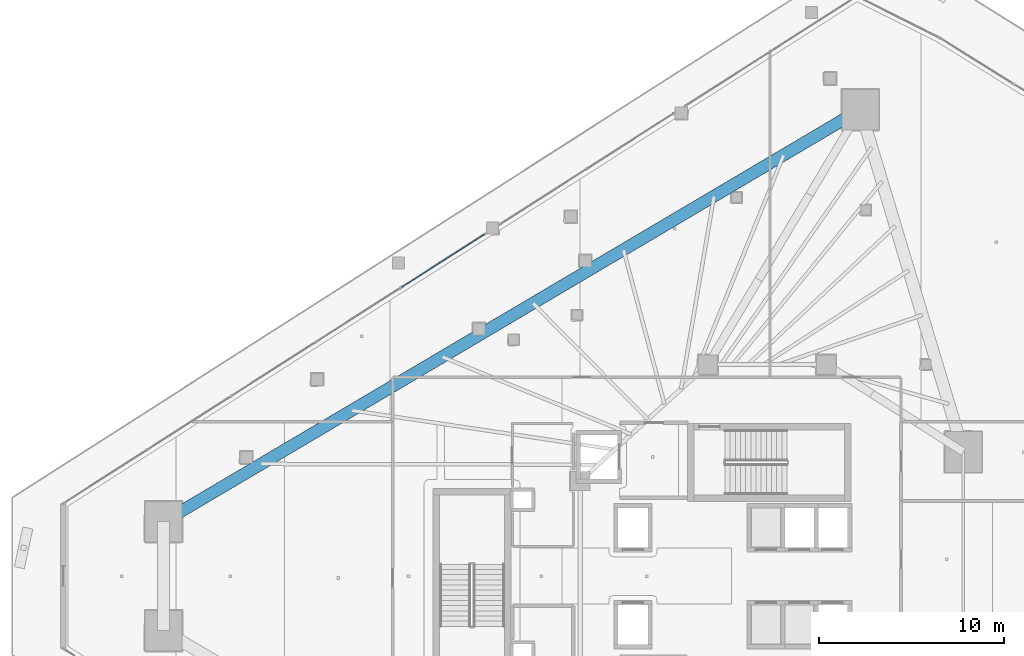
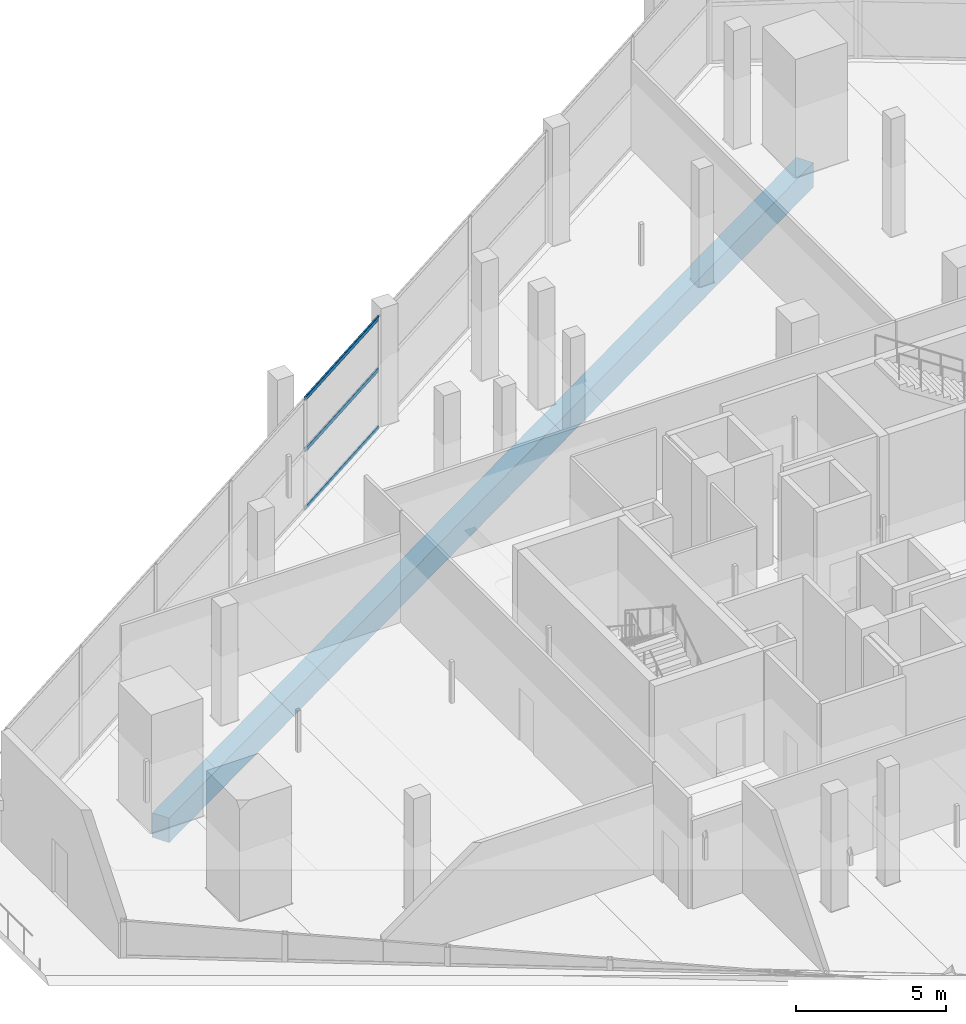
# One storey, part 15 of 42: 3 members, 1 beam, 1 element without a shape of its own.
"""IFC4 building model written with IfcOpenShell, lengths in metres."""

from ifc_helpers import new_model, si_unit, direction, frame, origin, origin_2d, place, context, subcontext, project, spatial, rectangle, hollow_rectangle, extrude, material, layer, layer_set, material_profile, profile_set, type_object, element, aggregate, save


model = new_model("IFC4")

# Units and contexts
model_context = context("Model", 3, precision=1e-05, world=origin(), true_north=direction((0.0, 1.0)))
body_context = subcontext(model_context, "Body", "Model", "MODEL_VIEW")
ifc_project = project(units=[si_unit("LENGTHUNIT", "METRE"), si_unit("AREAUNIT", "SQUARE_METRE"), si_unit("VOLUMEUNIT", "CUBIC_METRE"), si_unit("PLANEANGLEUNIT", "RADIAN"), si_unit("MASSUNIT", "GRAM", prefix="KILO")], contexts=[model_context])

# Site, building, storey
site_placement = place(None, origin())
site = spatial("IfcSite", under=ifc_project, at=site_placement, CompositionType="ELEMENT")
building_placement = place(site_placement, origin())
building = spatial("IfcBuilding", under=site, at=building_placement, Name="Qorvath Tower", CompositionType="ELEMENT")
storey_placement = place(building_placement, frame((0.0, 0.0, 105.0)))
storey = spatial("IfcBuildingStorey", under=building, at=storey_placement, Name="L23", CompositionType="ELEMENT", Elevation=105.0)

# Beam
ifc_material_1 = material(Name="Concrete C50/60", Category="concrete")
ifc_material_profile_1 = material_profile(ifc_material_1, rectangle(XDim=0.64990234375, YDim=1.0, at=origin_2d()), Name="RCB 1000x650")
ifc_profile_set_1 = profile_set([ifc_material_profile_1], Name="Concrete C50/60")
beam_type = type_object("IfcBeamType", Name="BM-RCB1", PredefinedType="SPANDREL", material=ifc_profile_set_1)
beam_placement = place(storey_placement, frame((-15.34423828125, 25.24609375, -0.800048828125), z_axis=(-0.860775142889, -0.508985415689, 0.0), x_axis=(0.508985415689, -0.860775142889, 0.0)))
element("IfcBeam", 1, at=beam_placement, inside=storey, type_object=beam_type, Name="Perimeter Loggia Frame Beam MC6-MC1 L23", PredefinedType="SPANDREL", context=body_context, shape_type="SweptSolid", body=[
    extrude(rectangle(XDim=0.64990234375, YDim=1.0, at=origin_2d()), origin(), (0.0, 0.0, 1.0), 43.8037109375),
])

# Curtain wall, members
ifc_material_2 = material(Name="Anodised aluminium and triple low-E glass", Category="aluminium")
ifc_layer = layer(ifc_material_2, 0.179931640625)
ifc_layer_set = layer_set([ifc_layer], Name="CW-SYS-5")
curtain_wall_type = type_object("IfcCurtainWallType", Name="CW-SYS-5", PredefinedType="NOTDEFINED", material=ifc_layer_set)
curtain_wall_placement = place(storey_placement, origin())
curtain_wall = element("IfcCurtainWall", 2, at=curtain_wall_placement, inside=storey, type_object=curtain_wall_type, Name="Curtain Wall CW-5 CW-T-L23-16.3", PredefinedType="NOTDEFINED")
ifc_material_3 = material(Name="Anodised aluminium 6063-T6", Category="aluminium")
ifc_material_profile_2 = material_profile(ifc_material_3, hollow_rectangle(XDim=0.06494140625, YDim=0.159912109375, WallThickness=0.00341796875, InnerFilletRadius=0.00341796875, OuterFilletRadius=0.007080078125, at=origin_2d()), Name="CWT 160x65")
ifc_profile_set_2 = profile_set([ifc_material_profile_2], Name="Anodised aluminium 6063-T6")
member_type = type_object("IfcMemberType", Name="CWT-160", PredefinedType="USERDEFINED", material=ifc_profile_set_2)
member_1_placement = place(storey_placement, frame((-35.684814453125, 18.497802734375, 0.032470703125), z_axis=(-0.842606534896, -0.538529690314, 0.0), x_axis=(0.538529690314, -0.842606534896, 0.0)))
member_1 = element("IfcMember", 3, at=member_1_placement, type_object=member_type, Name="CW-5 transom 1.1", ObjectType="TRANSOM", PredefinedType="USERDEFINED", context=body_context, shape_type="SweptSolid", body=[
    extrude(hollow_rectangle(XDim=0.06494140625, YDim=0.159912109375, WallThickness=0.00341796875, InnerFilletRadius=0.00341796875, OuterFilletRadius=0.007080078125, at=origin_2d()), origin(), (0.0, 0.0, 1.0), 5.31591796875),
])
member_2_placement = place(storey_placement, frame((-35.684814453125, 18.497802734375, 2.39990234375), z_axis=(-0.842606534896, -0.538529690314, 0.0), x_axis=(0.538529690314, -0.842606534896, 0.0)))
member_2 = element("IfcMember", 4, at=member_2_placement, type_object=member_type, Name="CW-5 transom 1.2", ObjectType="TRANSOM", PredefinedType="USERDEFINED", context=body_context, shape_type="SweptSolid", body=[
    extrude(hollow_rectangle(XDim=0.06494140625, YDim=0.159912109375, WallThickness=0.00341796875, InnerFilletRadius=0.00341796875, OuterFilletRadius=0.007080078125, at=origin_2d()), origin(), (0.0, 0.0, 1.0), 5.31591796875),
])
member_3_placement = place(storey_placement, frame((-35.684814453125, 18.497802734375, 4.487548828125), z_axis=(-0.842606534896, -0.538529690314, 0.0), x_axis=(0.538529690314, -0.842606534896, 0.0)))
member_3 = element("IfcMember", 5, at=member_3_placement, type_object=member_type, Name="CW-5 transom 1.3", ObjectType="TRANSOM", PredefinedType="USERDEFINED", context=body_context, shape_type="SweptSolid", body=[
    extrude(hollow_rectangle(XDim=0.06494140625, YDim=0.159912109375, WallThickness=0.00341796875, InnerFilletRadius=0.00341796875, OuterFilletRadius=0.007080078125, at=origin_2d()), origin(), (0.0, 0.0, 1.0), 5.31591796875),
])
aggregate(curtain_wall, [member_1, member_2, member_3])

save(model, "model.ifc")
